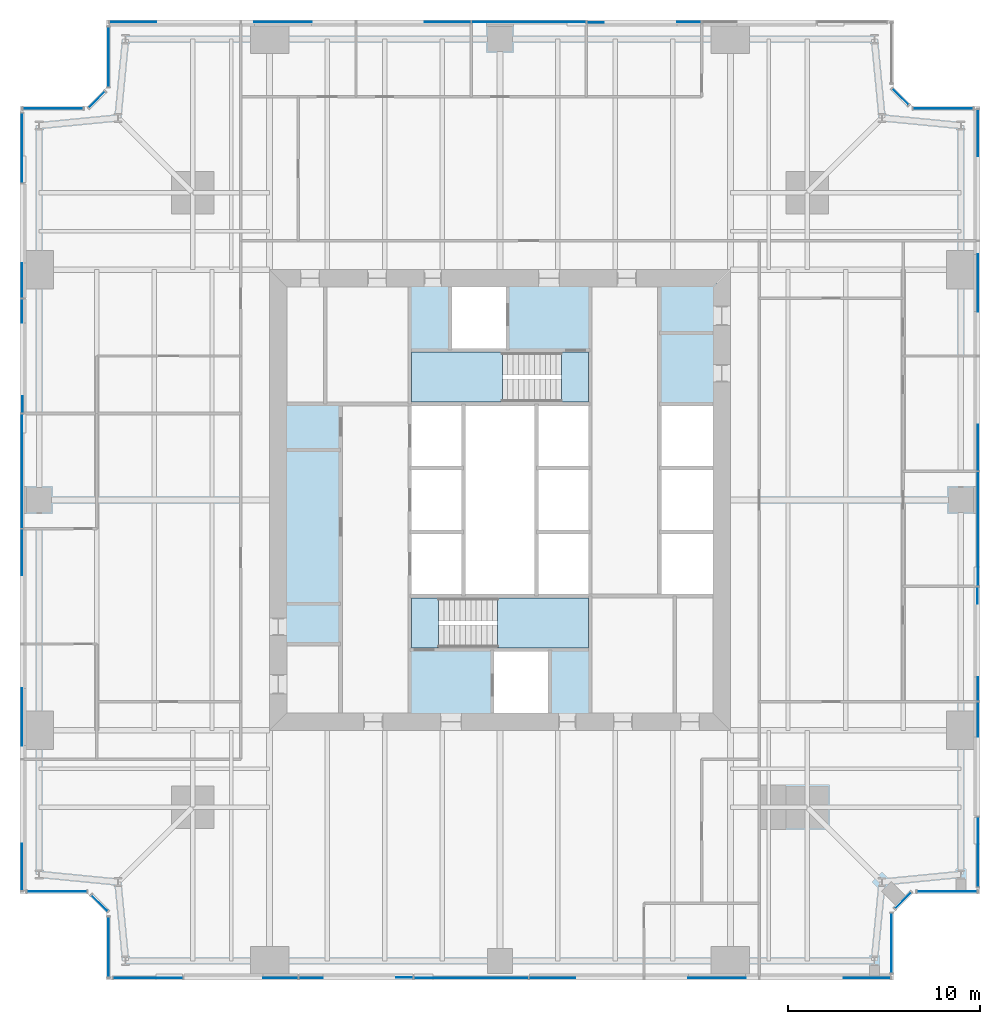
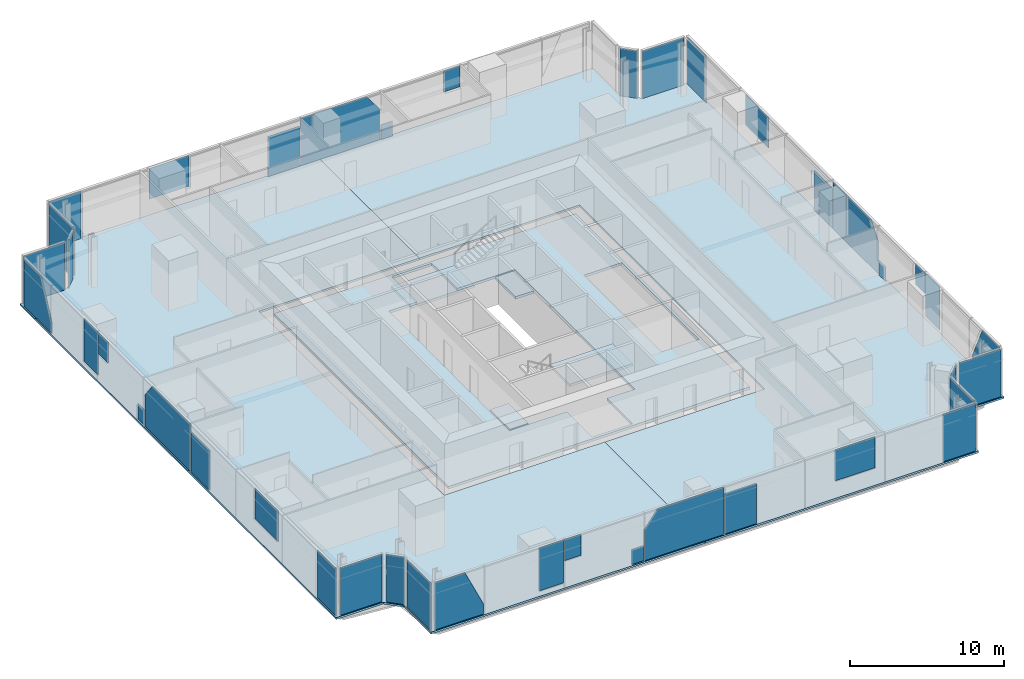
# One storey, part 8 of 14: 41 plates, 7 slabs, 17 elements without a shape of their own.
"""IFC4 building model written with IfcOpenShell, lengths in metres."""

from ifc_helpers import new_model, si_unit, direction, frame, origin, origin_2d, place, context, subcontext, project, spatial, polyline, rectangle, outline, extrude, material, layer, layer_set, type_object, element, aggregate, save


model = new_model("IFC4")

# Units and contexts
model_context = context("Model", 3, precision=1e-05, world=origin(), true_north=direction((0.0, 1.0)))
body_context = subcontext(model_context, "Body", "Model", "MODEL_VIEW")
ifc_project = project(units=[si_unit("LENGTHUNIT", "METRE"), si_unit("AREAUNIT", "SQUARE_METRE"), si_unit("VOLUMEUNIT", "CUBIC_METRE"), si_unit("PLANEANGLEUNIT", "RADIAN"), si_unit("MASSUNIT", "GRAM", prefix="KILO")], contexts=[model_context])

# Site, building, storey
site_placement = place(None, origin())
site = spatial("IfcSite", under=ifc_project, at=site_placement, CompositionType="ELEMENT")
building_placement = place(site_placement, origin())
building = spatial("IfcBuilding", under=site, at=building_placement, Name="Fenwick Lantern Interchange", CompositionType="ELEMENT")
storey_placement = place(building_placement, frame((0.0, 0.0, 134.39990234375)))
storey = spatial("IfcBuildingStorey", under=building, at=storey_placement, Name="L31", CompositionType="ELEMENT", Elevation=134.39990234375)

# Slabs
ifc_material_1 = material(Name="Concrete f'c 35 MPa", Category="concrete")
ifc_layer_1 = layer(ifc_material_1, 0.199951171875)
ifc_layer_set_1 = layer_set([ifc_layer_1], Name="CORE FLOOR SLAB 200")
slab_type_1 = type_object("IfcSlabType", Name="CORE FLOOR SLAB 200", PredefinedType="FLOOR", material=ifc_layer_set_1)
slab_1_placement = place(storey_placement, frame((0.0, 0.0, -0.199951171875)))
element("IfcSlab", 1, at=slab_1_placement, inside=storey, type_object=slab_type_1, Name="L31/SLAB/CORE", PredefinedType="FLOOR", context=body_context, shape_type="SweptSolid", body=[
    extrude(outline(polyline([(13.699951171875, 36.300048828125), (36.300048828125, 36.300048828125), (36.300048828125, 13.699951171875), (13.699951171875, 13.699951171875), (13.699951171875, 36.300048828125)]), holes=[polyline([(29.699951171875, 17.199951171875), (29.699951171875, 20.0), (29.699951171875, 23.333251953125), (29.699951171875, 26.666748046875), (29.699951171875, 30.0), (29.699951171875, 32.800048828125), (25.39990234375, 32.800048828125), (25.39990234375, 36.10009765625), (22.39990234375, 36.10009765625), (22.39990234375, 32.800048828125), (20.300048828125, 32.800048828125), (20.300048828125, 30.0), (20.300048828125, 26.666748046875), (20.300048828125, 23.333251953125), (20.300048828125, 20.0), (20.300048828125, 17.199951171875), (24.60009765625, 17.199951171875), (24.60009765625, 13.89990234375), (27.60009765625, 13.89990234375), (27.60009765625, 17.199951171875), (29.699951171875, 17.199951171875)]), polyline([(33.300048828125, 23.333251953125), (33.300048828125, 20.0), (36.10009765625, 20.0), (36.10009765625, 23.333251953125), (36.10009765625, 26.666748046875), (36.10009765625, 30.0), (33.300048828125, 30.0), (33.300048828125, 26.666748046875), (33.300048828125, 23.333251953125)])]), origin(), (0.0, 0.0, 1.0), 0.199951171875),
])
ifc_material_2 = material(Name="Concrete f'c 35 MPa", Category="concrete")
ifc_layer_2 = layer(ifc_material_2, 0.14990234375)
ifc_layer_set_2 = layer_set([ifc_layer_2], Name="Concrete f'c 35 MPa")
slab_type_2 = type_object("IfcSlabType", Name="FLOOR SLAB 150", PredefinedType="FLOOR", material=ifc_layer_set_2)
slab_2_placement = place(storey_placement, frame((0.0, 0.0, -0.14990234375)))
element("IfcSlab", 2, at=slab_2_placement, inside=storey, type_object=slab_type_2, Name="L31/SLAB/FW", PredefinedType="FLOOR", context=body_context, shape_type="SweptSolid", body=[
    extrude(outline(polyline([(4.5, 0.0), (4.5, 3.5), (3.5, 4.5), (0.0, 4.5), (0.0, 45.5), (3.5, 45.5), (4.5, 46.5), (4.5, 50.0), (25.0, 50.0), (25.0, 37.0), (13.0, 37.0), (13.0, 13.0), (25.0, 13.0), (25.0, 0.0), (4.5, 0.0)])), origin(), (0.0, 0.0, 1.0), 0.14990234375),
])
slab_3_placement = place(storey_placement, frame((0.0, 0.0, -0.14990234375)))
element("IfcSlab", 3, at=slab_3_placement, inside=storey, type_object=slab_type_2, Name="L31/SLAB/FE", PredefinedType="FLOOR", context=body_context, shape_type="SweptSolid", body=[
    extrude(outline(polyline([(45.5, 50.0), (45.5, 46.5), (46.5, 45.5), (50.0, 45.5), (50.0, 4.5), (46.5, 4.5), (45.5, 3.5), (45.5, 0.0), (25.0, 0.0), (25.0, 13.0), (37.0, 13.0), (37.0, 37.0), (25.0, 37.0), (25.0, 50.0), (45.5, 50.0)])), origin(), (0.0, 0.0, 1.0), 0.14990234375),
])

# Curtain wall, plates
ifc_material_3 = material(Name="Aluminium curtain wall frame", Category="aluminium")
curtain_wall_type = type_object("IfcCurtainWallType", Name="OFFICE CURTAIN WALL", PredefinedType="USERDEFINED", material=ifc_material_3)
curtain_wall_1_placement = place(storey_placement, origin())
curtain_wall_1 = element("IfcCurtainWall", 4, at=curtain_wall_1_placement, inside=storey, type_object=curtain_wall_type, Name="Office curtain wall 01", ObjectType="OFFICE CURTAIN WALL", PredefinedType="USERDEFINED")
ifc_material_4 = material(Name="Vision glass, clear low-iron double glazed", Category="glass")
ifc_layer_3 = layer(ifc_material_4, 0.031982421875)
ifc_layer_set_3 = layer_set([ifc_layer_3], Name="OFFICE CURTAIN WALL PANEL 32")
plate_type = type_object("IfcPlateType", Name="OFFICE CURTAIN WALL PANEL 32", PredefinedType="CURTAIN_PANEL", material=ifc_layer_set_3)
plate_1_placement = place(storey_placement, frame((4.60009765625, 0.10009765625, 0.0), z_axis=(0.0, 0.0, 1.0), x_axis=(1.0, 0.0, 0.0)))
plate_1 = element("IfcPlate", 5, at=plate_1_placement, type_object=plate_type, Name="L31/CW/01/P00a", PredefinedType="CURTAIN_PANEL", context=body_context, shape_type="SweptSolid", body=[
    extrude(outline(polyline([(0.264892578125, 0.0), (3.867431640625, 0.0), (3.867431640625, 0.822509765625), (2.4951171875, 3.75), (0.264892578125, 3.75), (0.264892578125, 0.0)])), frame((0.0, 0.01611328125, 0.0), z_axis=(0.0, -1.0, 0.0), x_axis=(1.0, 0.0, 0.0)), (0.0, 0.0, 1.0), 0.031982421875),
])
plate_2_placement = place(storey_placement, frame((4.60009765625, 0.10009765625, 0.358154296875), z_axis=(0.0, 0.0, 1.0), x_axis=(1.0, 0.0, 0.0)))
plate_2 = element("IfcPlate", 6, at=plate_2_placement, type_object=plate_type, Name="L31/CW/01/P01a", PredefinedType="CURTAIN_PANEL", context=body_context, shape_type="SweptSolid", body=[
    extrude(outline(polyline([(8.06103515625, 0.0), (9.867431640625, 0.0), (9.867431640625, 3.391845703125), (8.06103515625, 3.391845703125), (8.06103515625, 0.0)])), frame((0.0, 0.01611328125, 0.0), z_axis=(0.0, -1.0, 0.0), x_axis=(1.0, 0.0, 0.0)), (0.0, 0.0, 1.0), 0.031982421875),
])
plate_3_placement = place(storey_placement, frame((4.60009765625, 0.10009765625, 2.0908203125), z_axis=(0.0, 0.0, 1.0), x_axis=(1.0, 0.0, 0.0)))
plate_3 = element("IfcPlate", 7, at=plate_3_placement, type_object=plate_type, Name="L31/CW/01/P02a", PredefinedType="CURTAIN_PANEL", context=body_context, shape_type="SweptSolid", body=[
    extrude(outline(polyline([(9.9326171875, 0.0), (11.172607421875, 0.0), (11.172607421875, 1.6591796875), (9.9326171875, 1.6591796875), (9.9326171875, 0.0)])), frame((0.0, 0.01611328125, 0.0), z_axis=(0.0, -1.0, 0.0), x_axis=(1.0, 0.0, 0.0)), (0.0, 0.0, 1.0), 0.031982421875),
])
plate_4_placement = place(storey_placement, frame((4.60009765625, 0.10009765625, 0.0), z_axis=(0.0, 0.0, 1.0), x_axis=(1.0, 0.0, 0.0)))
plate_4 = element("IfcPlate", 8, at=plate_4_placement, type_object=plate_type, Name="L31/CW/01/P02b", PredefinedType="CURTAIN_PANEL", context=body_context, shape_type="SweptSolid", body=[
    extrude(outline(polyline([(14.984619140625, 0.0), (15.867431640625, 0.0), (15.867431640625, 1.17333984375), (14.984619140625, 1.17333984375), (14.984619140625, 0.0)])), frame((0.0, 0.0498046875, 0.0), z_axis=(0.0, -1.0, 0.0), x_axis=(1.0, 0.0, 0.0)), (0.0, 0.0, 1.0), 0.031982421875),
])
plate_5_placement = place(storey_placement, frame((4.60009765625, 0.10009765625, 0.0), z_axis=(0.0, 0.0, 1.0), x_axis=(1.0, 0.0, 0.0)))
plate_5 = element("IfcPlate", 9, at=plate_5_placement, type_object=plate_type, Name="L31/CW/01/P03a", PredefinedType="CURTAIN_PANEL", context=body_context, shape_type="SweptSolid", body=[
    extrude(outline(polyline([(15.9326171875, 0.0), (21.867431640625, 0.0), (21.867431640625, 3.75), (16.9169921875, 3.75), (15.9326171875, 2.4375), (15.9326171875, 0.0)])), frame((0.0, 0.01611328125, 0.0), z_axis=(0.0, -1.0, 0.0), x_axis=(1.0, 0.0, 0.0)), (0.0, 0.0, 1.0), 0.031982421875),
])
plate_6_placement = place(storey_placement, frame((4.60009765625, 0.10009765625, 0.0), z_axis=(0.0, 0.0, 1.0), x_axis=(1.0, 0.0, 0.0)))
plate_6 = element("IfcPlate", 10, at=plate_6_placement, type_object=plate_type, Name="L31/CW/01/P04a", PredefinedType="CURTAIN_PANEL", context=body_context, shape_type="SweptSolid", body=[
    extrude(outline(polyline([(21.9326171875, 0.0), (24.3125, 0.0), (24.3125, 3.177490234375), (21.9326171875, 3.177490234375), (21.9326171875, 0.0)])), frame((0.0, 0.01611328125, 0.0), z_axis=(0.0, -1.0, 0.0), x_axis=(1.0, 0.0, 0.0)), (0.0, 0.0, 1.0), 0.031982421875),
])
plate_7_placement = place(storey_placement, frame((4.60009765625, 0.10009765625, 1.316650390625), z_axis=(0.0, 0.0, 1.0), x_axis=(1.0, 0.0, 0.0)))
plate_7 = element("IfcPlate", 11, at=plate_7_placement, type_object=plate_type, Name="L31/CW/01/P05a", PredefinedType="CURTAIN_PANEL", context=body_context, shape_type="SweptSolid", body=[
    extrude(outline(polyline([(30.2080078125, 0.0), (33.18798828125, 0.0), (33.18798828125, 2.433349609375), (30.2080078125, 2.433349609375), (30.2080078125, 0.0)])), frame((0.0, 0.01611328125, 0.0), z_axis=(0.0, -1.0, 0.0), x_axis=(1.0, 0.0, 0.0)), (0.0, 0.0, 1.0), 0.031982421875),
])
plate_8_placement = place(storey_placement, frame((4.60009765625, 0.10009765625, 0.0), z_axis=(0.0, 0.0, 1.0), x_axis=(1.0, 0.0, 0.0)))
plate_8 = element("IfcPlate", 12, at=plate_8_placement, type_object=plate_type, Name="L31/CW/01/P06a", PredefinedType="CURTAIN_PANEL", context=body_context, shape_type="SweptSolid", body=[
    extrude(outline(polyline([(38.302001953125, 0.0), (40.735107421875, 0.0), (40.735107421875, 3.744140625), (38.302001953125, 3.744140625), (38.302001953125, 0.0)])), frame((0.0, 0.01611328125, 0.0), z_axis=(0.0, -1.0, 0.0), x_axis=(1.0, 0.0, 0.0)), (0.0, 0.0, 1.0), 0.031982421875),
])
aggregate(curtain_wall_1, [plate_1, plate_2, plate_3, plate_4, plate_5, plate_6, plate_7, plate_8])

# Curtain wall, plate
curtain_wall_2_placement = place(storey_placement, origin())
curtain_wall_2 = element("IfcCurtainWall", 13, at=curtain_wall_2_placement, inside=storey, type_object=curtain_wall_type, Name="Office curtain wall 02", ObjectType="OFFICE CURTAIN WALL", PredefinedType="USERDEFINED")
plate_9_placement = place(storey_placement, frame((45.39990234375, 1.920654296875, 0.0), z_axis=(0.0, 0.0, 1.0), x_axis=(0.0, 1.0, 0.0)))
plate_9 = element("IfcPlate", 14, at=plate_9_placement, type_object=plate_type, Name="L31/CW/02/P00", PredefinedType="CURTAIN_PANEL", context=body_context, shape_type="SweptSolid", body=[
    extrude(rectangle(XDim=3.111328125, YDim=0.031982421875, at=origin_2d()), origin(), (0.0, 0.0, 1.0), 3.75),
])
aggregate(curtain_wall_2, [plate_9])

curtain_wall_3_placement = place(storey_placement, origin())
curtain_wall_3 = element("IfcCurtainWall", 15, at=curtain_wall_3_placement, inside=storey, type_object=curtain_wall_type, Name="Office curtain wall 03", ObjectType="OFFICE CURTAIN WALL", PredefinedType="USERDEFINED")
plate_10_placement = place(storey_placement, frame((46.0, 4.141357421875, 0.0), z_axis=(0.0, 0.0, 1.0), x_axis=(0.707106781187, 0.707106781187, 0.0)))
plate_10 = element("IfcPlate", 16, at=plate_10_placement, type_object=plate_type, Name="L31/CW/03/P00", PredefinedType="CURTAIN_PANEL", context=body_context, shape_type="SweptSolid", body=[
    extrude(rectangle(XDim=1.1669921875, YDim=0.031982421875, at=origin_2d()), origin(), (0.0, 0.0, 1.0), 3.75),
])
aggregate(curtain_wall_3, [plate_10])

curtain_wall_4_placement = place(storey_placement, origin())
curtain_wall_4 = element("IfcCurtainWall", 17, at=curtain_wall_4_placement, inside=storey, type_object=curtain_wall_type, Name="Office curtain wall 04", ObjectType="OFFICE CURTAIN WALL", PredefinedType="USERDEFINED")
plate_11_placement = place(storey_placement, frame((48.279296875, 4.60009765625, 0.0), z_axis=(0.0, 0.0, 1.0), x_axis=(1.0, 0.0, 0.0)))
plate_11 = element("IfcPlate", 18, at=plate_11_placement, type_object=plate_type, Name="L31/CW/04/P00", PredefinedType="CURTAIN_PANEL", context=body_context, shape_type="SweptSolid", body=[
    extrude(rectangle(XDim=3.111328125, YDim=0.031982421875, at=origin_2d()), origin(), (0.0, 0.0, 1.0), 3.75),
])
aggregate(curtain_wall_4, [plate_11])

# Curtain wall, plates
curtain_wall_5_placement = place(storey_placement, origin())
curtain_wall_5 = element("IfcCurtainWall", 19, at=curtain_wall_5_placement, inside=storey, type_object=curtain_wall_type, Name="Office curtain wall 05", ObjectType="OFFICE CURTAIN WALL", PredefinedType="USERDEFINED")
plate_12_placement = place(storey_placement, frame((49.89990234375, 4.60009765625, 0.0), z_axis=(0.0, 0.0, 1.0), x_axis=(0.0, 1.0, 0.0)))
plate_12 = element("IfcPlate", 20, at=plate_12_placement, type_object=plate_type, Name="L31/CW/05/P00a", PredefinedType="CURTAIN_PANEL", context=body_context, shape_type="SweptSolid", body=[
    extrude(outline(polyline([(0.264892578125, 0.0), (3.867431640625, 0.0), (3.867431640625, 0.822509765625), (2.4951171875, 3.75), (0.264892578125, 3.75), (0.264892578125, 0.0)])), frame((0.0, 0.01611328125, 0.0), z_axis=(0.0, -1.0, 0.0), x_axis=(1.0, 0.0, 0.0)), (0.0, 0.0, 1.0), 0.031982421875),
])
plate_13_placement = place(storey_placement, frame((49.89990234375, 4.60009765625, 0.358154296875), z_axis=(0.0, 0.0, 1.0), x_axis=(0.0, 1.0, 0.0)))
plate_13 = element("IfcPlate", 21, at=plate_13_placement, type_object=plate_type, Name="L31/CW/05/P01a", PredefinedType="CURTAIN_PANEL", context=body_context, shape_type="SweptSolid", body=[
    extrude(outline(polyline([(8.06103515625, 0.0), (9.867431640625, 0.0), (9.867431640625, 3.391845703125), (8.06103515625, 3.391845703125), (8.06103515625, 0.0)])), frame((0.0, 0.01611328125, 0.0), z_axis=(0.0, -1.0, 0.0), x_axis=(1.0, 0.0, 0.0)), (0.0, 0.0, 1.0), 0.031982421875),
])
plate_14_placement = place(storey_placement, frame((49.89990234375, 4.60009765625, 2.0908203125), z_axis=(0.0, 0.0, 1.0), x_axis=(0.0, 1.0, 0.0)))
plate_14 = element("IfcPlate", 22, at=plate_14_placement, type_object=plate_type, Name="L31/CW/05/P02a", PredefinedType="CURTAIN_PANEL", context=body_context, shape_type="SweptSolid", body=[
    extrude(outline(polyline([(9.9326171875, 0.0), (11.172607421875, 0.0), (11.172607421875, 1.6591796875), (9.9326171875, 1.6591796875), (9.9326171875, 0.0)])), frame((0.0, 0.01611328125, 0.0), z_axis=(0.0, -1.0, 0.0), x_axis=(1.0, 0.0, 0.0)), (0.0, 0.0, 1.0), 0.031982421875),
])
plate_15_placement = place(storey_placement, frame((49.89990234375, 4.60009765625, 0.0), z_axis=(0.0, 0.0, 1.0), x_axis=(0.0, 1.0, 0.0)))
plate_15 = element("IfcPlate", 23, at=plate_15_placement, type_object=plate_type, Name="L31/CW/05/P02b", PredefinedType="CURTAIN_PANEL", context=body_context, shape_type="SweptSolid", body=[
    extrude(outline(polyline([(14.984619140625, 0.0), (15.867431640625, 0.0), (15.867431640625, 1.17333984375), (14.984619140625, 1.17333984375), (14.984619140625, 0.0)])), frame((0.0, 0.0498046875, 0.0), z_axis=(0.0, -1.0, 0.0), x_axis=(1.0, 0.0, 0.0)), (0.0, 0.0, 1.0), 0.031982421875),
])
plate_16_placement = place(storey_placement, frame((49.89990234375, 4.60009765625, 0.0), z_axis=(0.0, 0.0, 1.0), x_axis=(0.0, 1.0, 0.0)))
plate_16 = element("IfcPlate", 24, at=plate_16_placement, type_object=plate_type, Name="L31/CW/05/P03a", PredefinedType="CURTAIN_PANEL", context=body_context, shape_type="SweptSolid", body=[
    extrude(outline(polyline([(15.9326171875, 0.0), (21.867431640625, 0.0), (21.867431640625, 3.75), (16.9169921875, 3.75), (15.9326171875, 2.4375), (15.9326171875, 0.0)])), frame((0.0, 0.01611328125, 0.0), z_axis=(0.0, -1.0, 0.0), x_axis=(1.0, 0.0, 0.0)), (0.0, 0.0, 1.0), 0.031982421875),
])
plate_17_placement = place(storey_placement, frame((49.89990234375, 4.60009765625, 0.0), z_axis=(0.0, 0.0, 1.0), x_axis=(0.0, 1.0, 0.0)))
plate_17 = element("IfcPlate", 25, at=plate_17_placement, type_object=plate_type, Name="L31/CW/05/P04a", PredefinedType="CURTAIN_PANEL", context=body_context, shape_type="SweptSolid", body=[
    extrude(outline(polyline([(21.9326171875, 0.0), (24.3125, 0.0), (24.3125, 3.177490234375), (21.9326171875, 3.177490234375), (21.9326171875, 0.0)])), frame((0.0, 0.01611328125, 0.0), z_axis=(0.0, -1.0, 0.0), x_axis=(1.0, 0.0, 0.0)), (0.0, 0.0, 1.0), 0.031982421875),
])
plate_18_placement = place(storey_placement, frame((49.89990234375, 4.60009765625, 1.316650390625), z_axis=(0.0, 0.0, 1.0), x_axis=(0.0, 1.0, 0.0)))
plate_18 = element("IfcPlate", 26, at=plate_18_placement, type_object=plate_type, Name="L31/CW/05/P05a", PredefinedType="CURTAIN_PANEL", context=body_context, shape_type="SweptSolid", body=[
    extrude(outline(polyline([(30.2080078125, 0.0), (33.18798828125, 0.0), (33.18798828125, 2.433349609375), (30.2080078125, 2.433349609375), (30.2080078125, 0.0)])), frame((0.0, 0.01611328125, 0.0), z_axis=(0.0, -1.0, 0.0), x_axis=(1.0, 0.0, 0.0)), (0.0, 0.0, 1.0), 0.031982421875),
])
plate_19_placement = place(storey_placement, frame((49.89990234375, 4.60009765625, 0.0), z_axis=(0.0, 0.0, 1.0), x_axis=(0.0, 1.0, 0.0)))
plate_19 = element("IfcPlate", 27, at=plate_19_placement, type_object=plate_type, Name="L31/CW/05/P06a", PredefinedType="CURTAIN_PANEL", context=body_context, shape_type="SweptSolid", body=[
    extrude(outline(polyline([(38.302001953125, 0.0), (40.735107421875, 0.0), (40.735107421875, 3.744140625), (38.302001953125, 3.744140625), (38.302001953125, 0.0)])), frame((0.0, 0.01611328125, 0.0), z_axis=(0.0, -1.0, 0.0), x_axis=(1.0, 0.0, 0.0)), (0.0, 0.0, 1.0), 0.031982421875),
])
aggregate(curtain_wall_5, [plate_12, plate_13, plate_14, plate_15, plate_16, plate_17, plate_18, plate_19])

# Curtain wall, plate
curtain_wall_6_placement = place(storey_placement, origin())
curtain_wall_6 = element("IfcCurtainWall", 28, at=curtain_wall_6_placement, inside=storey, type_object=curtain_wall_type, Name="Office curtain wall 06", ObjectType="OFFICE CURTAIN WALL", PredefinedType="USERDEFINED")
plate_20_placement = place(storey_placement, frame((48.079345703125, 45.39990234375, 0.0), z_axis=(0.0, 0.0, 1.0), x_axis=(-1.0, 0.0, 0.0)))
plate_20 = element("IfcPlate", 29, at=plate_20_placement, type_object=plate_type, Name="L31/CW/06/P00", PredefinedType="CURTAIN_PANEL", context=body_context, shape_type="SweptSolid", body=[
    extrude(rectangle(XDim=3.111328125, YDim=0.031982421875, at=origin_2d()), origin(), (0.0, 0.0, 1.0), 3.75),
])
aggregate(curtain_wall_6, [plate_20])

curtain_wall_7_placement = place(storey_placement, origin())
curtain_wall_7 = element("IfcCurtainWall", 30, at=curtain_wall_7_placement, inside=storey, type_object=curtain_wall_type, Name="Office curtain wall 07", ObjectType="OFFICE CURTAIN WALL", PredefinedType="USERDEFINED")
plate_21_placement = place(storey_placement, frame((45.858642578125, 46.0, 0.0), z_axis=(0.0, 0.0, 1.0), x_axis=(-0.707106781187, 0.707106781187, 0.0)))
plate_21 = element("IfcPlate", 31, at=plate_21_placement, type_object=plate_type, Name="L31/CW/07/P00", PredefinedType="CURTAIN_PANEL", context=body_context, shape_type="SweptSolid", body=[
    extrude(rectangle(XDim=1.1669921875, YDim=0.031982421875, at=origin_2d()), origin(), (0.0, 0.0, 1.0), 3.75),
])
aggregate(curtain_wall_7, [plate_21])

# Curtain wall, plates
curtain_wall_8_placement = place(storey_placement, origin())
curtain_wall_8 = element("IfcCurtainWall", 32, at=curtain_wall_8_placement, inside=storey, type_object=curtain_wall_type, Name="Office curtain wall 09", ObjectType="OFFICE CURTAIN WALL", PredefinedType="USERDEFINED")
plate_22_placement = place(storey_placement, frame((45.39990234375, 49.89990234375, 2.0908203125), z_axis=(0.0, 0.0, 1.0), x_axis=(-1.0, 0.0, 0.0)))
plate_22 = element("IfcPlate", 33, at=plate_22_placement, type_object=plate_type, Name="L31/CW/09/P02a", PredefinedType="CURTAIN_PANEL", context=body_context, shape_type="SweptSolid", body=[
    extrude(outline(polyline([(9.9326171875, 0.0), (11.172607421875, 0.0), (11.172607421875, 1.6591796875), (9.9326171875, 1.6591796875), (9.9326171875, 0.0)])), frame((0.0, 0.01611328125, 0.0), z_axis=(0.0, -1.0, 0.0), x_axis=(1.0, 0.0, 0.0)), (0.0, 0.0, 1.0), 0.031982421875),
])
plate_23_placement = place(storey_placement, frame((45.39990234375, 49.89990234375, 0.0), z_axis=(0.0, 0.0, 1.0), x_axis=(-1.0, 0.0, 0.0)))
plate_23 = element("IfcPlate", 34, at=plate_23_placement, type_object=plate_type, Name="L31/CW/09/P02b", PredefinedType="CURTAIN_PANEL", context=body_context, shape_type="SweptSolid", body=[
    extrude(outline(polyline([(14.984619140625, 0.0), (15.867431640625, 0.0), (15.867431640625, 1.17333984375), (14.984619140625, 1.17333984375), (14.984619140625, 0.0)])), frame((0.0, 0.0498046875, 0.0), z_axis=(0.0, -1.0, 0.0), x_axis=(1.0, 0.0, 0.0)), (0.0, 0.0, 1.0), 0.031982421875),
])
plate_24_placement = place(storey_placement, frame((45.39990234375, 49.89990234375, 0.0), z_axis=(0.0, 0.0, 1.0), x_axis=(-1.0, 0.0, 0.0)))
plate_24 = element("IfcPlate", 35, at=plate_24_placement, type_object=plate_type, Name="L31/CW/09/P03a", PredefinedType="CURTAIN_PANEL", context=body_context, shape_type="SweptSolid", body=[
    extrude(outline(polyline([(15.9326171875, 0.0), (21.867431640625, 0.0), (21.867431640625, 3.75), (16.9169921875, 3.75), (15.9326171875, 2.4375), (15.9326171875, 0.0)])), frame((0.0, 0.01611328125, 0.0), z_axis=(0.0, -1.0, 0.0), x_axis=(1.0, 0.0, 0.0)), (0.0, 0.0, 1.0), 0.031982421875),
])
plate_25_placement = place(storey_placement, frame((45.39990234375, 49.89990234375, 0.0), z_axis=(0.0, 0.0, 1.0), x_axis=(-1.0, 0.0, 0.0)))
plate_25 = element("IfcPlate", 36, at=plate_25_placement, type_object=plate_type, Name="L31/CW/09/P04a", PredefinedType="CURTAIN_PANEL", context=body_context, shape_type="SweptSolid", body=[
    extrude(outline(polyline([(21.9326171875, 0.0), (24.3125, 0.0), (24.3125, 3.177490234375), (21.9326171875, 3.177490234375), (21.9326171875, 0.0)])), frame((0.0, 0.01611328125, 0.0), z_axis=(0.0, -1.0, 0.0), x_axis=(1.0, 0.0, 0.0)), (0.0, 0.0, 1.0), 0.031982421875),
])
plate_26_placement = place(storey_placement, frame((45.39990234375, 49.89990234375, 1.316650390625), z_axis=(0.0, 0.0, 1.0), x_axis=(-1.0, 0.0, 0.0)))
plate_26 = element("IfcPlate", 37, at=plate_26_placement, type_object=plate_type, Name="L31/CW/09/P05a", PredefinedType="CURTAIN_PANEL", context=body_context, shape_type="SweptSolid", body=[
    extrude(outline(polyline([(30.2080078125, 0.0), (33.18798828125, 0.0), (33.18798828125, 2.433349609375), (30.2080078125, 2.433349609375), (30.2080078125, 0.0)])), frame((0.0, 0.01611328125, 0.0), z_axis=(0.0, -1.0, 0.0), x_axis=(1.0, 0.0, 0.0)), (0.0, 0.0, 1.0), 0.031982421875),
])
plate_27_placement = place(storey_placement, frame((45.39990234375, 49.89990234375, 0.0), z_axis=(0.0, 0.0, 1.0), x_axis=(-1.0, 0.0, 0.0)))
plate_27 = element("IfcPlate", 38, at=plate_27_placement, type_object=plate_type, Name="L31/CW/09/P06a", PredefinedType="CURTAIN_PANEL", context=body_context, shape_type="SweptSolid", body=[
    extrude(outline(polyline([(38.302001953125, 0.0), (40.735107421875, 0.0), (40.735107421875, 3.744140625), (38.302001953125, 3.744140625), (38.302001953125, 0.0)])), frame((0.0, 0.01611328125, 0.0), z_axis=(0.0, -1.0, 0.0), x_axis=(1.0, 0.0, 0.0)), (0.0, 0.0, 1.0), 0.031982421875),
])
aggregate(curtain_wall_8, [plate_22, plate_23, plate_24, plate_25, plate_26, plate_27])

# Curtain wall, plate
curtain_wall_9_placement = place(storey_placement, origin())
curtain_wall_9 = element("IfcCurtainWall", 39, at=curtain_wall_9_placement, inside=storey, type_object=curtain_wall_type, Name="Office curtain wall 10", ObjectType="OFFICE CURTAIN WALL", PredefinedType="USERDEFINED")
plate_28_placement = place(storey_placement, frame((4.60009765625, 48.079345703125, 0.0), z_axis=(0.0, 0.0, 1.0), x_axis=(0.0, -1.0, 0.0)))
plate_28 = element("IfcPlate", 40, at=plate_28_placement, type_object=plate_type, Name="L31/CW/10/P00", PredefinedType="CURTAIN_PANEL", context=body_context, shape_type="SweptSolid", body=[
    extrude(rectangle(XDim=3.111328125, YDim=0.031982421875, at=origin_2d()), origin(), (0.0, 0.0, 1.0), 3.75),
])
aggregate(curtain_wall_9, [plate_28])

curtain_wall_10_placement = place(storey_placement, origin())
curtain_wall_10 = element("IfcCurtainWall", 41, at=curtain_wall_10_placement, inside=storey, type_object=curtain_wall_type, Name="Office curtain wall 11", ObjectType="OFFICE CURTAIN WALL", PredefinedType="USERDEFINED")
plate_29_placement = place(storey_placement, frame((4.0, 45.858642578125, 0.0), z_axis=(0.0, 0.0, 1.0), x_axis=(-0.707106781187, -0.707106781187, 0.0)))
plate_29 = element("IfcPlate", 42, at=plate_29_placement, type_object=plate_type, Name="L31/CW/11/P00", PredefinedType="CURTAIN_PANEL", context=body_context, shape_type="SweptSolid", body=[
    extrude(rectangle(XDim=1.1669921875, YDim=0.031982421875, at=origin_2d()), origin(), (0.0, 0.0, 1.0), 3.75),
])
aggregate(curtain_wall_10, [plate_29])

curtain_wall_11_placement = place(storey_placement, origin())
curtain_wall_11 = element("IfcCurtainWall", 43, at=curtain_wall_11_placement, inside=storey, type_object=curtain_wall_type, Name="Office curtain wall 12", ObjectType="OFFICE CURTAIN WALL", PredefinedType="USERDEFINED")
plate_30_placement = place(storey_placement, frame((1.720703125, 45.39990234375, 0.0), z_axis=(0.0, 0.0, 1.0), x_axis=(-1.0, 0.0, 0.0)))
plate_30 = element("IfcPlate", 44, at=plate_30_placement, type_object=plate_type, Name="L31/CW/12/P00", PredefinedType="CURTAIN_PANEL", context=body_context, shape_type="SweptSolid", body=[
    extrude(rectangle(XDim=3.111328125, YDim=0.031982421875, at=origin_2d()), origin(), (0.0, 0.0, 1.0), 3.75),
])
aggregate(curtain_wall_11, [plate_30])

# Curtain wall, plates
curtain_wall_12_placement = place(storey_placement, origin())
curtain_wall_12 = element("IfcCurtainWall", 45, at=curtain_wall_12_placement, inside=storey, type_object=curtain_wall_type, Name="Office curtain wall 13", ObjectType="OFFICE CURTAIN WALL", PredefinedType="USERDEFINED")
plate_31_placement = place(storey_placement, frame((0.10009765625, 45.39990234375, 0.0), z_axis=(0.0, 0.0, 1.0), x_axis=(0.0, -1.0, 0.0)))
plate_31 = element("IfcPlate", 46, at=plate_31_placement, type_object=plate_type, Name="L31/CW/13/P00a", PredefinedType="CURTAIN_PANEL", context=body_context, shape_type="SweptSolid", body=[
    extrude(outline(polyline([(0.264892578125, 0.0), (3.867431640625, 0.0), (3.867431640625, 0.822509765625), (2.4951171875, 3.75), (0.264892578125, 3.75), (0.264892578125, 0.0)])), frame((0.0, 0.01611328125, 0.0), z_axis=(0.0, -1.0, 0.0), x_axis=(1.0, 0.0, 0.0)), (0.0, 0.0, 1.0), 0.031982421875),
])
plate_32_placement = place(storey_placement, frame((0.10009765625, 45.39990234375, 0.358154296875), z_axis=(0.0, 0.0, 1.0), x_axis=(0.0, -1.0, 0.0)))
plate_32 = element("IfcPlate", 47, at=plate_32_placement, type_object=plate_type, Name="L31/CW/13/P01a", PredefinedType="CURTAIN_PANEL", context=body_context, shape_type="SweptSolid", body=[
    extrude(outline(polyline([(8.06103515625, 0.0), (9.867431640625, 0.0), (9.867431640625, 3.391845703125), (8.06103515625, 3.391845703125), (8.06103515625, 0.0)])), frame((0.0, 0.01611328125, 0.0), z_axis=(0.0, -1.0, 0.0), x_axis=(1.0, 0.0, 0.0)), (0.0, 0.0, 1.0), 0.031982421875),
])
plate_33_placement = place(storey_placement, frame((0.10009765625, 45.39990234375, 2.0908203125), z_axis=(0.0, 0.0, 1.0), x_axis=(0.0, -1.0, 0.0)))
plate_33 = element("IfcPlate", 48, at=plate_33_placement, type_object=plate_type, Name="L31/CW/13/P02a", PredefinedType="CURTAIN_PANEL", context=body_context, shape_type="SweptSolid", body=[
    extrude(outline(polyline([(9.9326171875, 0.0), (11.172607421875, 0.0), (11.172607421875, 1.6591796875), (9.9326171875, 1.6591796875), (9.9326171875, 0.0)])), frame((0.0, 0.01611328125, 0.0), z_axis=(0.0, -1.0, 0.0), x_axis=(1.0, 0.0, 0.0)), (0.0, 0.0, 1.0), 0.031982421875),
])
plate_34_placement = place(storey_placement, frame((0.10009765625, 45.39990234375, 0.0), z_axis=(0.0, 0.0, 1.0), x_axis=(0.0, -1.0, 0.0)))
plate_34 = element("IfcPlate", 49, at=plate_34_placement, type_object=plate_type, Name="L31/CW/13/P02b", PredefinedType="CURTAIN_PANEL", context=body_context, shape_type="SweptSolid", body=[
    extrude(outline(polyline([(14.984619140625, 0.0), (15.867431640625, 0.0), (15.867431640625, 1.17333984375), (14.984619140625, 1.17333984375), (14.984619140625, 0.0)])), frame((0.0, 0.0498046875, 0.0), z_axis=(0.0, -1.0, 0.0), x_axis=(1.0, 0.0, 0.0)), (0.0, 0.0, 1.0), 0.031982421875),
])
plate_35_placement = place(storey_placement, frame((0.10009765625, 45.39990234375, 0.0), z_axis=(0.0, 0.0, 1.0), x_axis=(0.0, -1.0, 0.0)))
plate_35 = element("IfcPlate", 50, at=plate_35_placement, type_object=plate_type, Name="L31/CW/13/P03a", PredefinedType="CURTAIN_PANEL", context=body_context, shape_type="SweptSolid", body=[
    extrude(outline(polyline([(15.9326171875, 0.0), (21.867431640625, 0.0), (21.867431640625, 3.75), (16.9169921875, 3.75), (15.9326171875, 2.4375), (15.9326171875, 0.0)])), frame((0.0, 0.01611328125, 0.0), z_axis=(0.0, -1.0, 0.0), x_axis=(1.0, 0.0, 0.0)), (0.0, 0.0, 1.0), 0.031982421875),
])
plate_36_placement = place(storey_placement, frame((0.10009765625, 45.39990234375, 0.0), z_axis=(0.0, 0.0, 1.0), x_axis=(0.0, -1.0, 0.0)))
plate_36 = element("IfcPlate", 51, at=plate_36_placement, type_object=plate_type, Name="L31/CW/13/P04a", PredefinedType="CURTAIN_PANEL", context=body_context, shape_type="SweptSolid", body=[
    extrude(outline(polyline([(21.9326171875, 0.0), (24.3125, 0.0), (24.3125, 3.177490234375), (21.9326171875, 3.177490234375), (21.9326171875, 0.0)])), frame((0.0, 0.01611328125, 0.0), z_axis=(0.0, -1.0, 0.0), x_axis=(1.0, 0.0, 0.0)), (0.0, 0.0, 1.0), 0.031982421875),
])
plate_37_placement = place(storey_placement, frame((0.10009765625, 45.39990234375, 1.316650390625), z_axis=(0.0, 0.0, 1.0), x_axis=(0.0, -1.0, 0.0)))
plate_37 = element("IfcPlate", 52, at=plate_37_placement, type_object=plate_type, Name="L31/CW/13/P05a", PredefinedType="CURTAIN_PANEL", context=body_context, shape_type="SweptSolid", body=[
    extrude(outline(polyline([(30.2080078125, 0.0), (33.18798828125, 0.0), (33.18798828125, 2.433349609375), (30.2080078125, 2.433349609375), (30.2080078125, 0.0)])), frame((0.0, 0.01611328125, 0.0), z_axis=(0.0, -1.0, 0.0), x_axis=(1.0, 0.0, 0.0)), (0.0, 0.0, 1.0), 0.031982421875),
])
plate_38_placement = place(storey_placement, frame((0.10009765625, 45.39990234375, 0.0), z_axis=(0.0, 0.0, 1.0), x_axis=(0.0, -1.0, 0.0)))
plate_38 = element("IfcPlate", 53, at=plate_38_placement, type_object=plate_type, Name="L31/CW/13/P06a", PredefinedType="CURTAIN_PANEL", context=body_context, shape_type="SweptSolid", body=[
    extrude(outline(polyline([(38.302001953125, 0.0), (40.735107421875, 0.0), (40.735107421875, 3.744140625), (38.302001953125, 3.744140625), (38.302001953125, 0.0)])), frame((0.0, 0.01611328125, 0.0), z_axis=(0.0, -1.0, 0.0), x_axis=(1.0, 0.0, 0.0)), (0.0, 0.0, 1.0), 0.031982421875),
])
aggregate(curtain_wall_12, [plate_31, plate_32, plate_33, plate_34, plate_35, plate_36, plate_37, plate_38])

# Curtain wall, plate
curtain_wall_13_placement = place(storey_placement, origin())
curtain_wall_13 = element("IfcCurtainWall", 54, at=curtain_wall_13_placement, inside=storey, type_object=curtain_wall_type, Name="Office curtain wall 14", ObjectType="OFFICE CURTAIN WALL", PredefinedType="USERDEFINED")
plate_39_placement = place(storey_placement, frame((1.920654296875, 4.60009765625, 0.0), z_axis=(0.0, 0.0, 1.0), x_axis=(1.0, 0.0, 0.0)))
plate_39 = element("IfcPlate", 55, at=plate_39_placement, type_object=plate_type, Name="L31/CW/14/P00", PredefinedType="CURTAIN_PANEL", context=body_context, shape_type="SweptSolid", body=[
    extrude(rectangle(XDim=3.111328125, YDim=0.031982421875, at=origin_2d()), origin(), (0.0, 0.0, 1.0), 3.75),
])
aggregate(curtain_wall_13, [plate_39])

curtain_wall_14_placement = place(storey_placement, origin())
curtain_wall_14 = element("IfcCurtainWall", 56, at=curtain_wall_14_placement, inside=storey, type_object=curtain_wall_type, Name="Office curtain wall 15", ObjectType="OFFICE CURTAIN WALL", PredefinedType="USERDEFINED")
plate_40_placement = place(storey_placement, frame((4.141357421875, 4.0, 0.0), z_axis=(0.0, 0.0, 1.0), x_axis=(0.707106781187, -0.707106781187, 0.0)))
plate_40 = element("IfcPlate", 57, at=plate_40_placement, type_object=plate_type, Name="L31/CW/15/P00", PredefinedType="CURTAIN_PANEL", context=body_context, shape_type="SweptSolid", body=[
    extrude(rectangle(XDim=1.1669921875, YDim=0.031982421875, at=origin_2d()), origin(), (0.0, 0.0, 1.0), 3.75),
])
aggregate(curtain_wall_14, [plate_40])

curtain_wall_15_placement = place(storey_placement, origin())
curtain_wall_15 = element("IfcCurtainWall", 58, at=curtain_wall_15_placement, inside=storey, type_object=curtain_wall_type, Name="Office curtain wall 16", ObjectType="OFFICE CURTAIN WALL", PredefinedType="USERDEFINED")
plate_41_placement = place(storey_placement, frame((4.60009765625, 1.720703125, 0.0), z_axis=(0.0, 0.0, 1.0), x_axis=(0.0, -1.0, 0.0)))
plate_41 = element("IfcPlate", 59, at=plate_41_placement, type_object=plate_type, Name="L31/CW/16/P00", PredefinedType="CURTAIN_PANEL", context=body_context, shape_type="SweptSolid", body=[
    extrude(rectangle(XDim=3.111328125, YDim=0.031982421875, at=origin_2d()), origin(), (0.0, 0.0, 1.0), 3.75),
])
aggregate(curtain_wall_15, [plate_41])

# Stair, slabs
ifc_material_5 = material(Name="Precast concrete f'c 35 MPa", Category="concrete")
stair_type = type_object("IfcStairType", Name="EXIT STAIR 1200", PredefinedType="HALF_TURN_STAIR", material=ifc_material_5)
stair_1_placement = place(storey_placement, origin())
stair_1 = element("IfcStair", 60, at=stair_1_placement, inside=storey, type_object=stair_type, Name="Exit stair ST1", PredefinedType="HALF_TURN_STAIR")
ifc_layer_4 = layer(ifc_material_1, 0.199951171875)
ifc_layer_set_4 = layer_set([ifc_layer_4], Name="STAIR LANDING 200")
slab_type_3 = type_object("IfcSlabType", Name="STAIR LANDING 200", PredefinedType="LANDING", material=ifc_layer_set_4)
slab_4_placement = place(storey_placement, frame((0.0, 0.0, 1.800048828125)))
slab_4 = element("IfcSlab", 61, at=slab_4_placement, type_object=slab_type_3, Name="ST1 landing 1", PredefinedType="LANDING", context=body_context, shape_type="SweptSolid", body=[
    extrude(outline(polyline([(24.8798828125, 17.300048828125), (29.60009765625, 17.300048828125), (29.60009765625, 19.89990234375), (24.8798828125, 19.89990234375), (24.8798828125, 17.300048828125)])), origin(), (0.0, 0.0, 1.0), 0.199951171875),
])
slab_5_placement = place(storey_placement, frame((0.0, 0.0, -0.199951171875)))
slab_5 = element("IfcSlab", 62, at=slab_5_placement, type_object=slab_type_3, Name="ST1 landing 2", PredefinedType="LANDING", context=body_context, shape_type="SweptSolid", body=[
    extrude(outline(polyline([(20.39990234375, 17.300048828125), (21.800048828125, 17.300048828125), (21.800048828125, 19.89990234375), (20.39990234375, 19.89990234375), (20.39990234375, 17.300048828125)])), origin(), (0.0, 0.0, 1.0), 0.199951171875),
])
aggregate(stair_1, [slab_4, slab_5])

stair_2_placement = place(storey_placement, origin())
stair_2 = element("IfcStair", 63, at=stair_2_placement, inside=storey, type_object=stair_type, Name="Exit stair ST2", PredefinedType="HALF_TURN_STAIR")
slab_6_placement = place(storey_placement, frame((0.0, 0.0, 1.800048828125)))
slab_6 = element("IfcSlab", 64, at=slab_6_placement, type_object=slab_type_3, Name="ST2 landing 1", PredefinedType="LANDING", context=body_context, shape_type="SweptSolid", body=[
    extrude(outline(polyline([(25.1201171875, 32.699951171875), (20.39990234375, 32.699951171875), (20.39990234375, 30.10009765625), (25.1201171875, 30.10009765625), (25.1201171875, 32.699951171875)])), origin(), (0.0, 0.0, 1.0), 0.199951171875),
])
slab_7_placement = place(storey_placement, frame((0.0, 0.0, -0.199951171875)))
slab_7 = element("IfcSlab", 65, at=slab_7_placement, type_object=slab_type_3, Name="ST2 landing 2", PredefinedType="LANDING", context=body_context, shape_type="SweptSolid", body=[
    extrude(outline(polyline([(29.60009765625, 32.699951171875), (28.199951171875, 32.699951171875), (28.199951171875, 30.10009765625), (29.60009765625, 30.10009765625), (29.60009765625, 32.699951171875)])), origin(), (0.0, 0.0, 1.0), 0.199951171875),
])
aggregate(stair_2, [slab_6, slab_7])

save(model, "model.ifc")
